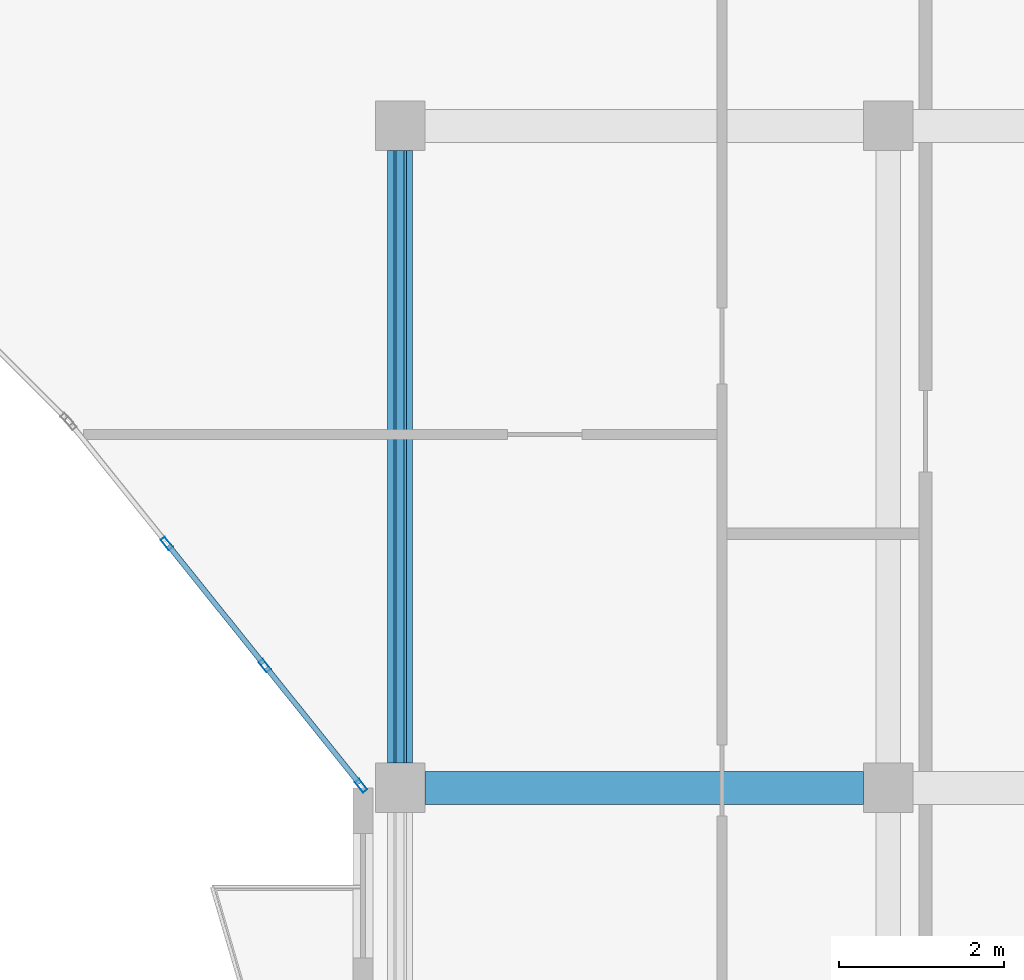
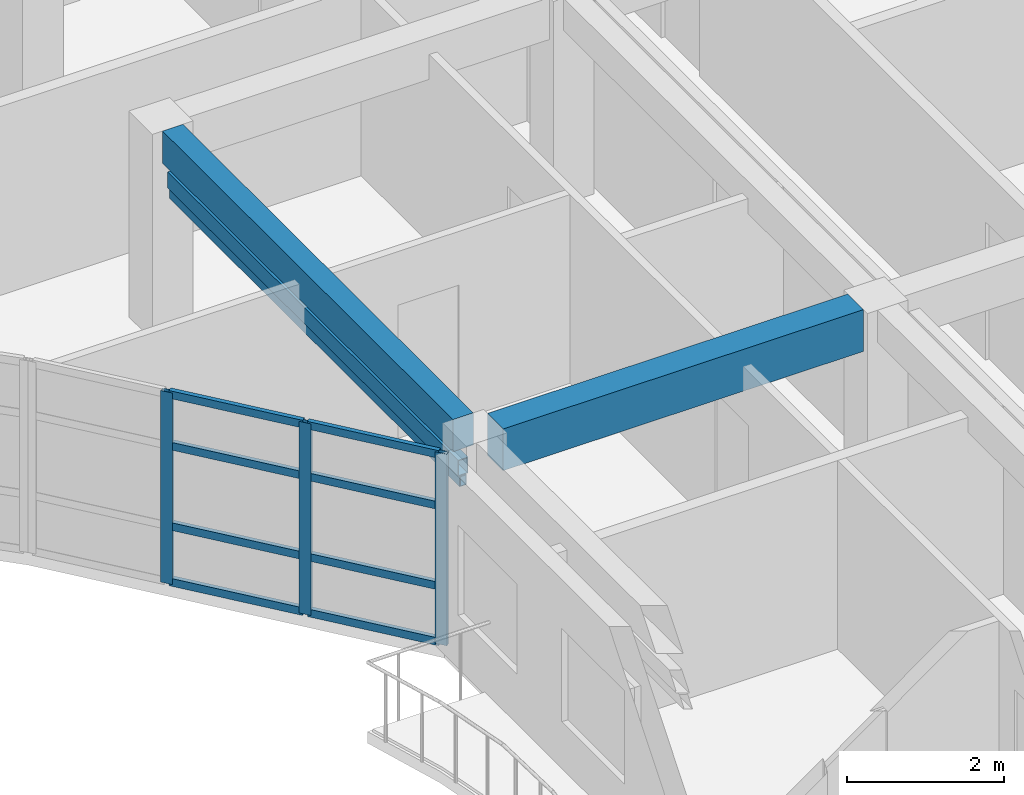
# One storey, part 21 of 76: 13 members, 2 beams, 1 element without a shape of its own.
"""IFC4 building model written with IfcOpenShell, lengths in metres."""

from ifc_helpers import new_model, si_unit, direction, frame, origin, origin_2d, place, context, subcontext, project, spatial, rectangle, hollow_rectangle, extrude, material, layer, layer_set, material_profile, profile_set, type_object, element, aggregate, save


model = new_model("IFC4")

# Units and contexts
model_context = context("Model", 3, precision=1e-05, world=origin(), true_north=direction((0.0, 1.0)))
body_context = subcontext(model_context, "Body", "Model", "MODEL_VIEW")
ifc_project = project(units=[si_unit("LENGTHUNIT", "METRE"), si_unit("AREAUNIT", "SQUARE_METRE"), si_unit("VOLUMEUNIT", "CUBIC_METRE"), si_unit("PLANEANGLEUNIT", "RADIAN"), si_unit("MASSUNIT", "GRAM", prefix="KILO")], contexts=[model_context])

# Site, building, storey
site_placement = place(None, origin())
site = spatial("IfcSite", under=ifc_project, at=site_placement, CompositionType="ELEMENT")
building_placement = place(site_placement, origin())
building = spatial("IfcBuilding", under=site, at=building_placement, Name="Keldmere Railside Commons", CompositionType="ELEMENT")
storey_placement = place(building_placement, frame((0.0, 0.0, 13.760009765625)))
storey = spatial("IfcBuildingStorey", under=building, at=storey_placement, Name="L04", CompositionType="ELEMENT", Elevation=13.760009765625)

# Member
ifc_material_1 = material(Name="Steel F-36 (S355)", Category="steel")
ifc_material_profile_1 = material_profile(ifc_material_1, hollow_rectangle(XDim=0.14990234375, YDim=0.25, WallThickness=0.010009765625, at=origin_2d()), Name="RHS-250x150x10")
ifc_profile_set_1 = profile_set([ifc_material_profile_1], Name="Steel F-36 (S355)")
member_type_1 = type_object("IfcMemberType", Name="Balcony Continuous Planted Trough RHS250x150", PredefinedType="CHORD", material=ifc_profile_set_1)
member_1_placement = place(storey_placement, frame((168.449951171875, 88.300048828125, 2.4150390625), z_axis=(0.0, 1.0, 0.0), x_axis=(-1.0, 0.0, 0.0)))
element("IfcMember", 1, at=member_1_placement, inside=storey, type_object=member_type_1, Name="PLT-1 MEM-BPLT-0553", PredefinedType="CHORD", context=body_context, shape_type="SweptSolid", body=[
    extrude(hollow_rectangle(XDim=0.14990234375, YDim=0.25, WallThickness=0.010009765625, at=origin_2d()), origin(), (0.0, 0.0, 1.0), 7.39990234375),
])

# Beams
ifc_material_2 = material(Name="Concrete H-30 (C30/37)", Category="concrete")
ifc_material_profile_2 = material_profile(ifc_material_2, rectangle(XDim=0.39990234375, YDim=0.64990234375, at=origin_2d()), Name="RC-400x650")
ifc_profile_set_2 = profile_set([ifc_material_profile_2], Name="Concrete H-30 (C30/37)")
beam_type_1 = type_object("IfcBeamType", Name="Residential Spine RC Girder 400x650", PredefinedType="BEAM", material=ifc_profile_set_2)
beam_1_placement = place(storey_placement, frame((168.75, 88.0, 2.875), z_axis=(1.0, 0.0, 0.0), x_axis=(0.0, 1.0, 0.0)))
element("IfcBeam", 2, at=beam_1_placement, inside=storey, type_object=beam_type_1, Name="BG-3 BM-L04-1544", PredefinedType="BEAM", context=body_context, shape_type="SweptSolid", body=[
    extrude(rectangle(XDim=0.39990234375, YDim=0.64990234375, at=origin_2d()), origin(), (0.0, 0.0, 1.0), 5.300048828125),
])
ifc_material_profile_3 = material_profile(ifc_material_2, rectangle(XDim=0.300048828125, YDim=0.5, at=origin_2d()), Name="RC-300x500")
ifc_profile_set_3 = profile_set([ifc_material_profile_3], Name="Concrete H-30 (C30/37)")
beam_type_2 = type_object("IfcBeamType", Name="Secondary Frame RC Beam 300x500", PredefinedType="BEAM", material=ifc_profile_set_3)
beam_2_placement = place(storey_placement, frame((168.449951171875, 88.300048828125, 2.949951171875), z_axis=(0.0, 1.0, 0.0), x_axis=(-1.0, 0.0, 0.0)))
element("IfcBeam", 3, at=beam_2_placement, inside=storey, type_object=beam_type_2, Name="BG-5 BM-L04-1675", PredefinedType="BEAM", context=body_context, shape_type="SweptSolid", body=[
    extrude(rectangle(XDim=0.300048828125, YDim=0.5, at=origin_2d()), origin(), (0.0, 0.0, 1.0), 7.39990234375),
])

# Member
ifc_material_profile_4 = material_profile(ifc_material_1, hollow_rectangle(XDim=0.10009765625, YDim=0.159912109375, WallThickness=0.008056640625, at=origin_2d()), Name="RHS-160x100x8")
ifc_profile_set_4 = profile_set([ifc_material_profile_4], Name="Steel F-36 (S355)")
member_type_2 = type_object("IfcMemberType", Name="Solar Brise-Soleil Louvre Fin RHS160x100", PredefinedType="STRUT", material=ifc_profile_set_4)
member_2_placement = place(storey_placement, frame((168.449951171875, 88.300048828125, 2.199951171875), z_axis=(0.0, 1.0, 0.0), x_axis=(-1.0, 0.0, 0.0)))
element("IfcMember", 4, at=member_2_placement, inside=storey, type_object=member_type_2, Name="BSF-1 MEM-BSF-0554", PredefinedType="STRUT", context=body_context, shape_type="SweptSolid", body=[
    extrude(hollow_rectangle(XDim=0.10009765625, YDim=0.159912109375, WallThickness=0.008056640625, at=origin_2d()), origin(), (0.0, 0.0, 1.0), 7.39990234375),
])

# Curtain wall, members
ifc_material_3 = material(Name="Thermally Broken Aluminium", Category="aluminium")
ifc_layer = layer(ifc_material_3, 0.159912109375, Name="Court Chord Wintergarden CW 5400x2850")
ifc_layer_set = layer_set([ifc_layer], Name="Thermally Broken Aluminium")
curtain_wall_type = type_object("IfcCurtainWallType", Name="Court Chord Wintergarden CW 5400x2850", PredefinedType="NOTDEFINED", material=ifc_layer_set)
curtain_wall_placement = place(storey_placement, origin())
curtain_wall = element("IfcCurtainWall", 5, at=curtain_wall_placement, inside=storey, type_object=curtain_wall_type, Name="CW-13 CW-L04-171", PredefinedType="NOTDEFINED")
ifc_material_profile_5 = material_profile(ifc_material_3, hollow_rectangle(XDim=0.06494140625, YDim=0.159912109375, WallThickness=0.00390625, at=origin_2d()), Name="ALU-MULL-65x160")
ifc_profile_set_5 = profile_set([ifc_material_profile_5], Name="Thermally Broken Aluminium")
member_type_3 = type_object("IfcMemberType", Name="Unitised Curtain Wall Mullion 65x160", PredefinedType="MULLION", material=ifc_profile_set_5)
member_3_placement = place(storey_placement, frame((167.979736328125, 88.025390625, 0.0), z_axis=(0.0, 0.0, 1.0), x_axis=(-0.780009172323, -0.625768080915, 0.0)))
member_3 = element("IfcMember", 6, at=member_3_placement, type_object=member_type_3, Name="CW-13 mullion 1", PredefinedType="MULLION", context=body_context, shape_type="SweptSolid", body=[
    extrude(hollow_rectangle(XDim=0.06494140625, YDim=0.159912109375, WallThickness=0.00390625, at=origin_2d()), origin(), (0.0, 0.0, 1.0), 2.97998046875),
])
member_4_placement = place(storey_placement, frame((166.8154296875, 89.4765625, 0.0), z_axis=(0.0, 0.0, 1.0), x_axis=(-0.780009172323, -0.625768080915, 0.0)))
member_4 = element("IfcMember", 7, at=member_4_placement, type_object=member_type_3, Name="CW-13 mullion 2", PredefinedType="MULLION", context=body_context, shape_type="SweptSolid", body=[
    extrude(hollow_rectangle(XDim=0.06494140625, YDim=0.159912109375, WallThickness=0.00390625, at=origin_2d()), origin(), (0.0, 0.0, 1.0), 2.97998046875),
])
member_5_placement = place(storey_placement, frame((165.630615234375, 90.953369140625, 0.0), z_axis=(0.0, 0.0, 1.0), x_axis=(-0.780009172323, -0.625768080915, 0.0)))
member_5 = element("IfcMember", 8, at=member_5_placement, type_object=member_type_3, Name="CW-13 mullion 3", PredefinedType="MULLION", context=body_context, shape_type="SweptSolid", body=[
    extrude(hollow_rectangle(XDim=0.06494140625, YDim=0.159912109375, WallThickness=0.00390625, at=origin_2d()), origin(), (0.0, 0.0, 1.0), 2.97998046875),
])
ifc_material_profile_6 = material_profile(ifc_material_3, hollow_rectangle(XDim=0.06494140625, YDim=0.1201171875, WallThickness=0.00390625, at=origin_2d()), Name="ALU-TRAN-65x120")
ifc_profile_set_6 = profile_set([ifc_material_profile_6], Name="Thermally Broken Aluminium")
member_type_4 = type_object("IfcMemberType", Name="Unitised Curtain Wall Transom 65x120", PredefinedType="USERDEFINED", material=ifc_profile_set_6)
member_6_placement = place(storey_placement, frame((167.959228515625, 88.05078125, 0.032470703125), z_axis=(-0.625722553313, 0.780045694992, 0.0), x_axis=(-0.780045694992, -0.625722553313, 0.0)))
member_6 = element("IfcMember", 9, at=member_6_placement, type_object=member_type_4, Name="CW-13 transom 1.1", ObjectType="TRANSOM", PredefinedType="USERDEFINED", context=body_context, shape_type="SweptSolid", body=[
    extrude(hollow_rectangle(XDim=0.06494140625, YDim=0.1201171875, WallThickness=0.00390625, at=origin_2d()), origin(), (0.0, 0.0, 1.0), 1.795654296875),
])
member_7_placement = place(storey_placement, frame((167.959228515625, 88.05078125, 0.89990234375), z_axis=(-0.625722553313, 0.780045694992, 0.0), x_axis=(-0.780045694992, -0.625722553313, 0.0)))
member_7 = element("IfcMember", 10, at=member_7_placement, type_object=member_type_4, Name="CW-13 transom 1.2", ObjectType="TRANSOM", PredefinedType="USERDEFINED", context=body_context, shape_type="SweptSolid", body=[
    extrude(hollow_rectangle(XDim=0.06494140625, YDim=0.1201171875, WallThickness=0.00390625, at=origin_2d()), origin(), (0.0, 0.0, 1.0), 1.795654296875),
])
member_8_placement = place(storey_placement, frame((167.959228515625, 88.05078125, 2.14990234375), z_axis=(-0.625722553313, 0.780045694992, 0.0), x_axis=(-0.780045694992, -0.625722553313, 0.0)))
member_8 = element("IfcMember", 11, at=member_8_placement, type_object=member_type_4, Name="CW-13 transom 1.3", ObjectType="TRANSOM", PredefinedType="USERDEFINED", context=body_context, shape_type="SweptSolid", body=[
    extrude(hollow_rectangle(XDim=0.06494140625, YDim=0.1201171875, WallThickness=0.00390625, at=origin_2d()), origin(), (0.0, 0.0, 1.0), 1.795654296875),
])
member_9_placement = place(storey_placement, frame((167.959228515625, 88.05078125, 2.947509765625), z_axis=(-0.625722553313, 0.780045694992, 0.0), x_axis=(-0.780045694992, -0.625722553313, 0.0)))
member_9 = element("IfcMember", 12, at=member_9_placement, type_object=member_type_4, Name="CW-13 transom 1.4", ObjectType="TRANSOM", PredefinedType="USERDEFINED", context=body_context, shape_type="SweptSolid", body=[
    extrude(hollow_rectangle(XDim=0.06494140625, YDim=0.1201171875, WallThickness=0.00390625, at=origin_2d()), origin(), (0.0, 0.0, 1.0), 1.795654296875),
])
member_10_placement = place(storey_placement, frame((166.794921875, 89.501953125, 0.032470703125), z_axis=(-0.625688033635, 0.78007338409, 0.0), x_axis=(-0.78007338409, -0.625688033635, 0.0)))
member_10 = element("IfcMember", 13, at=member_10_placement, type_object=member_type_4, Name="CW-13 transom 2.1", ObjectType="TRANSOM", PredefinedType="USERDEFINED", context=body_context, shape_type="SweptSolid", body=[
    extrude(hollow_rectangle(XDim=0.06494140625, YDim=0.1201171875, WallThickness=0.00390625, at=origin_2d()), origin(), (0.0, 0.0, 1.0), 1.828125),
])
member_11_placement = place(storey_placement, frame((166.794921875, 89.501953125, 0.89990234375), z_axis=(-0.625688033635, 0.78007338409, 0.0), x_axis=(-0.78007338409, -0.625688033635, 0.0)))
member_11 = element("IfcMember", 14, at=member_11_placement, type_object=member_type_4, Name="CW-13 transom 2.2", ObjectType="TRANSOM", PredefinedType="USERDEFINED", context=body_context, shape_type="SweptSolid", body=[
    extrude(hollow_rectangle(XDim=0.06494140625, YDim=0.1201171875, WallThickness=0.00390625, at=origin_2d()), origin(), (0.0, 0.0, 1.0), 1.828125),
])
member_12_placement = place(storey_placement, frame((166.794921875, 89.501953125, 2.14990234375), z_axis=(-0.625688033635, 0.78007338409, 0.0), x_axis=(-0.78007338409, -0.625688033635, 0.0)))
member_12 = element("IfcMember", 15, at=member_12_placement, type_object=member_type_4, Name="CW-13 transom 2.3", ObjectType="TRANSOM", PredefinedType="USERDEFINED", context=body_context, shape_type="SweptSolid", body=[
    extrude(hollow_rectangle(XDim=0.06494140625, YDim=0.1201171875, WallThickness=0.00390625, at=origin_2d()), origin(), (0.0, 0.0, 1.0), 1.828125),
])
member_13_placement = place(storey_placement, frame((166.794921875, 89.501953125, 2.947509765625), z_axis=(-0.625688033635, 0.78007338409, 0.0), x_axis=(-0.78007338409, -0.625688033635, 0.0)))
member_13 = element("IfcMember", 16, at=member_13_placement, type_object=member_type_4, Name="CW-13 transom 2.4", ObjectType="TRANSOM", PredefinedType="USERDEFINED", context=body_context, shape_type="SweptSolid", body=[
    extrude(hollow_rectangle(XDim=0.06494140625, YDim=0.1201171875, WallThickness=0.00390625, at=origin_2d()), origin(), (0.0, 0.0, 1.0), 1.828125),
])
aggregate(curtain_wall, [member_3, member_4, member_5, member_6, member_7, member_8, member_9, member_10, member_11, member_12, member_13])

save(model, "model.ifc")
